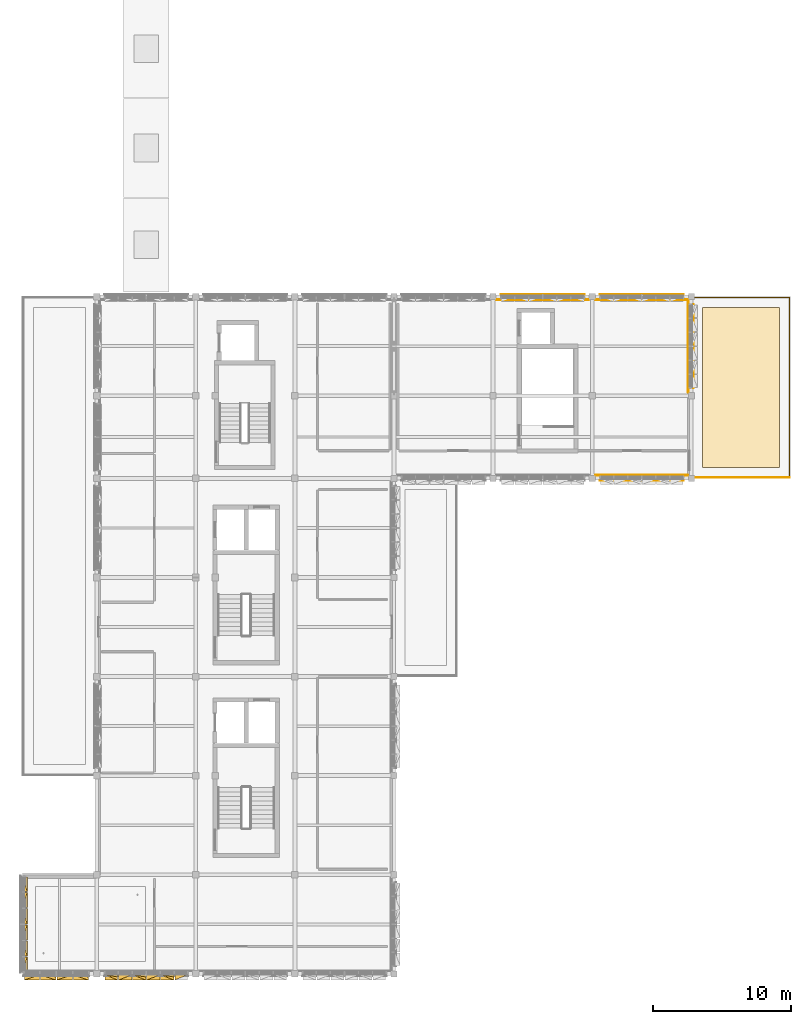
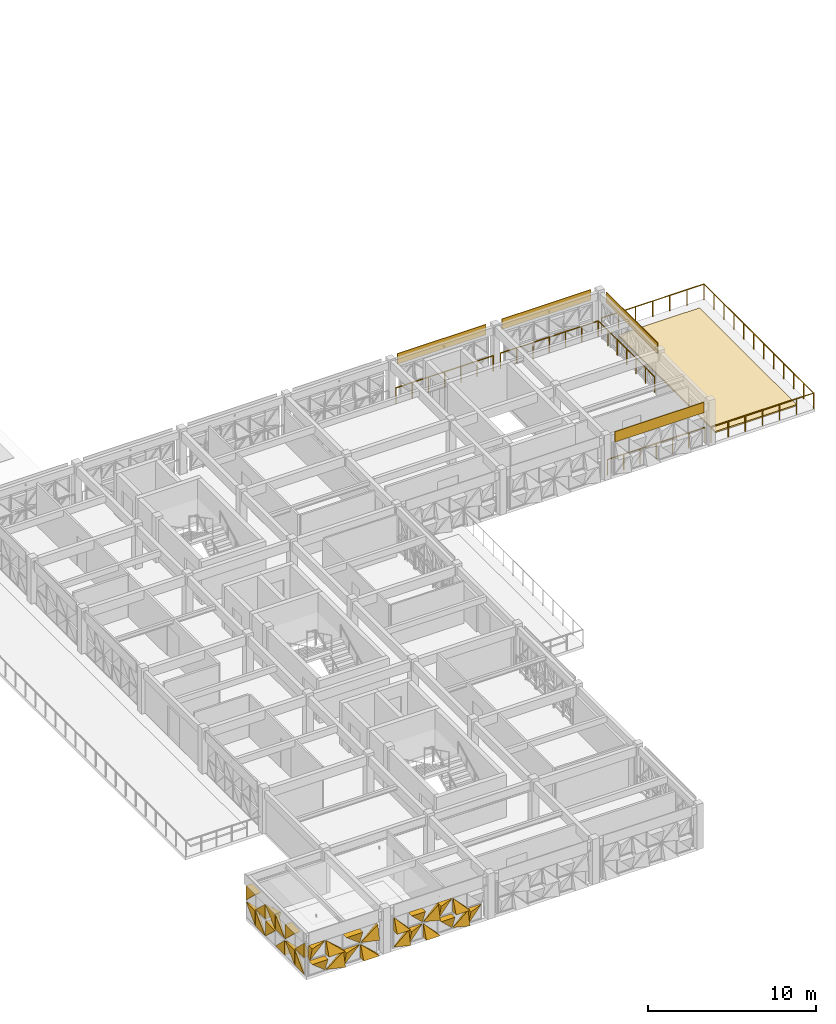
# One storey, part 30 of 35: 36 coverings, 6 railings.
"""IFC4 building model written with IfcOpenShell, lengths in metres."""

import ifcopenshell
import ifcopenshell.guid

model = None  # the IFC model being written
_history = None  # IfcOwnerHistory: only IFC2X3 demands one
_inside = {}  # id of a spatial element -> (the spatial element, [elements in it])
_under = {}  # id of a project, library or spatial element -> (it, [spatial elements below it])
_declared = {}  # id of a project -> (the project, [libraries it declares])
_typed = {}  # id of a type object -> (the type object, [elements of that type])
_made_of = {}  # id of a material, layer set ... -> (it, [elements and type objects made of it])


def new_model(schema):
    """Start an empty IFC model of exactly this schema.

    Asked for "IFC4X3", IfcOpenShell would pick the latest addendum, in which some entities
    have other attributes; the version numbers below select the first issue.
    IFC2X3 requires an IfcOwnerHistory on every rooted entity: one is made here for all.
    """
    global model, _history
    if schema == "IFC4X3":
        model = ifcopenshell.file(schema_version=(4, 3, 0, 0))
    else:
        model = ifcopenshell.file(schema=schema)
    _inside.clear()
    _under.clear()
    _declared.clear()
    _typed.clear()
    _made_of.clear()
    _history = None
    if model.schema == "IFC2X3":
        org = make("IfcOrganization", Name="unknown")
        user = make(
            "IfcPersonAndOrganization",
            ThePerson=make("IfcPerson", FamilyName="unknown"),
            TheOrganization=org,
        )
        app = make(
            "IfcApplication",
            ApplicationDeveloper=org,
            Version="unknown",
            ApplicationFullName="unknown",
            ApplicationIdentifier="unknown",
        )
        _history = make(
            "IfcOwnerHistory",
            OwningUser=user,
            OwningApplication=app,
            ChangeAction="ADDED",
            CreationDate=0,
        )
    return model


def make(cls, **values):
    """One entity of the class cls with the attributes given. An attribute that is None is left unset."""
    return model.create_entity(
        cls, **{name: value for name, value in values.items() if value is not None}
    )


def rooted(cls, **values):
    """An entity with a GlobalId (a new one), such as an element, a storey or a relation."""
    return make(cls, GlobalId=ifcopenshell.guid.new(), OwnerHistory=_history, **values)


def si_unit(unit_type, name, prefix=None):
    """IfcSIUnit, for example si_unit("LENGTHUNIT", "METRE", prefix="MILLI")."""
    return make("IfcSIUnit", UnitType=unit_type, Prefix=prefix, Name=name)


def assignment(units):
    """IfcUnitAssignment: the units of a project."""
    return None if units is None else make("IfcUnitAssignment", Units=units)


def point(xyz):
    """IfcCartesianPoint."""
    return None if xyz is None else make("IfcCartesianPoint", Coordinates=xyz)


def direction(xyz):
    """IfcDirection."""
    return None if xyz is None else make("IfcDirection", DirectionRatios=xyz)


def frame(location, z_axis=None, x_axis=None):
    """IfcAxis2Placement3D, a coordinate frame: its origin and axes. An axis left out is left unset."""
    return make(
        "IfcAxis2Placement3D",
        Location=point(location),
        Axis=direction(z_axis),
        RefDirection=direction(x_axis),
    )


def frame_2d(location, x_axis=None):
    """IfcAxis2Placement2D, a coordinate frame in the plane: its origin and x axis."""
    return make(
        "IfcAxis2Placement2D", Location=point(location), RefDirection=direction(x_axis)
    )


def origin():
    """The frame at (0, 0, 0) with its axes left unset."""
    return frame((0.0, 0.0, 0.0))


def origin_2d():
    """The frame at (0, 0) in the plane with its x axis left unset."""
    return frame_2d((0.0, 0.0))


def place(relative_to, where):
    """IfcLocalPlacement: puts the frame where relative to a parent placement (None: the world)."""
    return make(
        "IfcLocalPlacement", PlacementRelTo=relative_to, RelativePlacement=where
    )


def context(
    kind, dimensions, precision=None, world=None, true_north=None, identifier=None
):
    """IfcGeometricRepresentationContext, for example the 3D "Model" context."""
    return make(
        "IfcGeometricRepresentationContext",
        ContextIdentifier=identifier,
        ContextType=kind,
        CoordinateSpaceDimension=dimensions,
        Precision=precision,
        WorldCoordinateSystem=world,
        TrueNorth=true_north,
    )


def subcontext(parent, identifier, kind, view, scale=None):
    """IfcGeometricRepresentationSubContext, for example "Body" below "Model"."""
    return make(
        "IfcGeometricRepresentationSubContext",
        ContextIdentifier=identifier,
        ContextType=kind,
        ParentContext=parent,
        TargetScale=scale,
        TargetView=view,
    )


def project(units=None, contexts=None):
    """IfcProject with its units and contexts."""
    return rooted(
        "IfcProject",
        Name="project",
        RepresentationContexts=contexts,
        UnitsInContext=assignment(units),
    )


def spatial(cls, under=None, at=None, **own):
    """A site, building, storey or space (cls), placed at a placement, below another one or the project."""
    s = rooted(cls, ObjectPlacement=at, **own)
    if under is not None:
        _under.setdefault(under.id(), (under, []))[1].append(s)
    return s


def polyline(points):
    """IfcPolyline through the points."""
    return make("IfcPolyline", Points=[point(p) for p in points])


def point_list(points):
    """IfcCartesianPointList2D or 3D."""
    cls = (
        "IfcCartesianPointList2D" if len(points[0]) == 2 else "IfcCartesianPointList3D"
    )
    return make(cls, CoordList=points)


def profile(cls, at=None, kind="AREA", **sizes):
    """A parametric profile (cls). Its sizes go by their IFC names, for example OverallWidth=200.0."""
    return make(cls, ProfileType=kind, Position=at, **sizes)


def circle(**sizes):
    """IfcCircleProfileDef."""
    return profile("IfcCircleProfileDef", **sizes)


def outline(outer, holes=None, kind="AREA"):
    """IfcArbitraryClosedProfileDef: a profile drawn as a closed curve; with holes, ...WithVoids."""
    if holes is None:
        return make("IfcArbitraryClosedProfileDef", ProfileType=kind, OuterCurve=outer)
    return make(
        "IfcArbitraryProfileDefWithVoids",
        ProfileType=kind,
        OuterCurve=outer,
        InnerCurves=holes,
    )


def extrude(swept, where, along, depth):
    """IfcExtrudedAreaSolid: the profile swept, set in the frame where, extruded along a direction by depth."""
    return make(
        "IfcExtrudedAreaSolid",
        SweptArea=swept,
        Position=where,
        ExtrudedDirection=direction(along),
        Depth=depth,
    )


def polygons(points, faces, closed=None, point_numbers=None):
    """IfcPolygonalFaceSet: a face is its outer loop, then its inner loops; points numbered from 1."""
    made = []
    for loops in faces:
        if len(loops) == 1:
            made.append(make("IfcIndexedPolygonalFace", CoordIndex=loops[0]))
        else:
            made.append(
                make(
                    "IfcIndexedPolygonalFaceWithVoids",
                    CoordIndex=loops[0],
                    InnerCoordIndices=loops[1:],
                )
            )
    return make(
        "IfcPolygonalFaceSet",
        Coordinates=point_list(points),
        Closed=closed,
        Faces=made,
        PnIndex=point_numbers,
    )


def shape(context_of_items, identifier, shape_type, items):
    """IfcShapeRepresentation: the items that make up one representation, for example the "Body"."""
    return make(
        "IfcShapeRepresentation",
        ContextOfItems=context_of_items,
        RepresentationIdentifier=identifier,
        RepresentationType=shape_type,
        Items=items,
    )


def material(Name=None, Category=None):
    """IfcMaterial."""
    return make("IfcMaterial", Name=Name, Category=Category)


def layer(
    of_material, thickness, ventilated=None, Name=None, Category=None, Priority=None
):
    """IfcMaterialLayer: one layer of a wall or slab, of a material (None: an air gap)."""
    return make(
        "IfcMaterialLayer",
        Material=of_material,
        LayerThickness=thickness,
        IsVentilated=ventilated,
        Name=Name,
        Category=Category,
        Priority=Priority,
    )


def layer_set(layers, Name=None):
    """IfcMaterialLayerSet."""
    return make("IfcMaterialLayerSet", MaterialLayers=layers, LayerSetName=Name)


def made_of(thing, what):
    """Note that an element or type object is made of a material, layer set ...; save() writes the relation."""
    if what is not None:
        _made_of.setdefault(what.id(), (what, []))[1].append(thing)
    return thing


def type_object(cls, material=None, **own):
    """A type object (cls), such as IfcWallType, which elements share."""
    return made_of(rooted(cls, **own), material)


def element(
    cls,
    number,
    at=None,
    inside=None,
    cuts=None,
    type_object=None,
    material=None,
    context=None,
    identifier="Body",
    shape_type=None,
    held_by="IfcProductDefinitionShape",
    body=None,
    shapes=None,
    **own,
):
    """One element of the class cls, such as IfcWall. Its Tag is "e" and its number.

    at: its placement. inside: the storey or other place that contains it. cuts: it is an
    opening in that element (IfcRelVoidsElement). A single representation is given by context,
    identifier, shape_type and body (its items); several are given by shapes. held_by: the class
    of the entity that holds the representations. save() writes the other relations.
    """
    e = rooted(cls, Tag="e%d" % number, ObjectPlacement=at, **own)
    if body is not None:
        shapes = [shape(context, identifier, shape_type, body)]
    if shapes is not None:
        e.Representation = make(held_by, Representations=shapes)
    if inside is not None:
        _inside.setdefault(inside.id(), (inside, []))[1].append(e)
    if cuts is not None:
        rooted(
            "IfcRelVoidsElement", RelatingBuildingElement=cuts, RelatedOpeningElement=e
        )
    if type_object is not None:
        _typed.setdefault(type_object.id(), (type_object, []))[1].append(e)
    return made_of(e, material)


def aggregate(whole, parts):
    """IfcRelAggregates: a whole, such as a stair, and the parts it consists of."""
    return rooted("IfcRelAggregates", RelatingObject=whole, RelatedObjects=parts)


def save(model, path):
    """Write the relations noted so far, then the file.

    IfcRelAggregates (storeys below a building ...), IfcRelContainedInSpatialStructure (elements
    in a storey), IfcRelDefinesByType, IfcRelAssociatesMaterial and IfcRelDeclares: one each for
    every whole, place, type object, material and project.
    """
    for whole, parts in _under.values():
        aggregate(whole, parts)
    for where, things in _inside.values():
        rooted(
            "IfcRelContainedInSpatialStructure",
            RelatedElements=things,
            RelatingStructure=where,
        )
    for kind, things in _typed.values():
        rooted("IfcRelDefinesByType", RelatedObjects=things, RelatingType=kind)
    for what, things in _made_of.values():
        rooted("IfcRelAssociatesMaterial", RelatedObjects=things, RelatingMaterial=what)
    for by, libraries in _declared.values():
        rooted("IfcRelDeclares", RelatingContext=by, RelatedDefinitions=libraries)
    model.write(path)


model = new_model("IFC4")

# Units and contexts
model_context = context("Model", 3, precision=1e-05, world=origin(), true_north=direction((0.0, 1.0)))
body_context = subcontext(model_context, "Body", "Model", "MODEL_VIEW")
ifc_project = project(units=[si_unit("LENGTHUNIT", "METRE"), si_unit("AREAUNIT", "SQUARE_METRE"), si_unit("VOLUMEUNIT", "CUBIC_METRE"), si_unit("PLANEANGLEUNIT", "RADIAN"), si_unit("MASSUNIT", "GRAM", prefix="KILO")], contexts=[model_context])

# Site, building, storey
site_placement = place(None, origin())
site = spatial("IfcSite", under=ifc_project, at=site_placement, CompositionType="ELEMENT")
building_placement = place(site_placement, origin())
building = spatial("IfcBuilding", under=site, at=building_placement, Name="Alvorim Cloister Faculty of Sciences", CompositionType="ELEMENT")
storey_placement = place(building_placement, frame((0.0, 0.0, 22.949951171875)))
storey = spatial("IfcBuildingStorey", under=building, at=storey_placement, Name="L06", CompositionType="ELEMENT", Elevation=22.949951171875)

# Coverings
ifc_material_1 = material(Name="Anodised Aluminium Alloy 6063-T6", Category="aluminium")
ifc_layer_1 = layer(ifc_material_1, 0.031982421875)
ifc_layer_set_1 = layer_set([ifc_layer_1], Name="Anodised Aluminium Alloy 6063-T6")
covering_type_1 = type_object("IfcCoveringType", Name="COV-FAC-CAS", PredefinedType="CLADDING", material=ifc_layer_set_1)
for number, where, z_axis, x_axis, name in (
    (1, (36.5400390625, 56.550048828125, 2.530029296875), (0.0, 0.0, 1.0), (1.0, 0.0, 0.0), "L06 Shifted Bar Slab-Edge Architectural Fascia"),
    (2, (43.739990234375, 56.550048828125, 2.530029296875), (0.0, 0.0, 1.0), (1.0, 0.0, 0.0), "L06 Shifted Bar Slab-Edge Architectural Fascia"),
    (3, (50.550048828125, 49.739990234375, 2.530029296875), (0.0, 0.0, 1.0), (0.0, 1.0, 0.0), "L06 Shifted Bar Slab-Edge Architectural Fascia"),
    (4, (43.739990234375, 43.050048828125, 2.530029296875), (0.0, 0.0, 1.0), (1.0, 0.0, 0.0), "L06 Shifted Bar Slab-Edge Architectural Fascia"),
):
    element("IfcCovering", number, at=place(storey_placement, frame(where, z_axis=z_axis, x_axis=x_axis)), inside=storey, type_object=covering_type_1, Name=name, PredefinedType="CLADDING", context=body_context, shape_type="SweptSolid", body=[
        extrude(outline(polyline([(0.0, 0.0), (6.1201171875, 0.0), (6.1201171875, 0.760009765625), (0.0, 0.760009765625), (0.0, 0.0)])), frame((0.0, 0.0224609375, 0.0), z_axis=(0.0, -1.0, 0.0), x_axis=(1.0, 0.0, 0.0)), (0.0, 0.0, 1.0), 0.044921875),
    ])
ifc_material_2 = material(Name="Intensive Vegetated Substrate", Category="earth")
ifc_layer_2 = layer(ifc_material_2, 0.10009765625)
ifc_layer_set_2 = layer_set([ifc_layer_2], Name="Intensive Vegetated Substrate")
covering_type_2 = type_object("IfcCoveringType", Name="COV-ROOF-GREEN", PredefinedType="ROOFING", material=ifc_layer_set_2)
covering_1_placement = place(storey_placement, origin())
element("IfcCovering", 5, at=covering_1_placement, inside=storey, type_object=covering_type_2, Name="L06 North Laboratory Stepped Terrace Quota Ambiental Vegetated Substrate", PredefinedType="ROOFING", context=body_context, shape_type="SweptSolid", body=[
    extrude(outline(polyline([(51.199951171875, 44.0), (56.800048828125, 44.0), (56.800048828125, 55.60009765625), (51.199951171875, 55.60009765625), (51.199951171875, 44.0)])), origin(), (0.0, 0.0, 1.0), 0.10009765625),
])
ifc_material_3 = material(Name="Perforated Bronze Alloy Sheet", Category="metal")
ifc_layer_3 = layer(ifc_material_3, 0.0380859375)
ifc_layer_set_3 = layer_set([ifc_layer_3], Name="Perforated Bronze Alloy Sheet")
covering_type_3 = type_object("IfcCoveringType", Name="COV-TRI-BRZ", PredefinedType="CLADDING", material=ifc_layer_set_3)
covering_2_placement = place(storey_placement, frame((1.7548828125, 7.344970703125, 0.14013671875), z_axis=(0.0, 0.0, 1.0), x_axis=(0.0, 1.0, 0.0)))
element("IfcCovering", 6, at=covering_2_placement, inside=storey, type_object=covering_type_3, Name="Diagonal Solid Metal Triangle TRI-BR", PredefinedType="CLADDING", context=body_context, shape_type="Tessellation", body=[
    polygons([(0.002, 0.0260009765625, 0.0), (1.075927734375, 0.0260009765625, 0.0), (1.075927734375, 0.0260009765625, 1.066359375), (0.002, -0.03, 0.0), (1.075927734375, -0.4, 0.0), (1.075927734375, -0.18000000000000002, 1.066359375)], [[[1, 3, 2]], [[4, 5, 6]], [[1, 2, 5, 4]], [[2, 3, 6, 5]], [[3, 1, 4, 6]]], closed=True),
])
covering_3_placement = place(storey_placement, frame((1.7548828125, 7.344970703125, 1.3486328125), z_axis=(0.0, 0.0, 1.0), x_axis=(0.0, 1.0, 0.0)))
element("IfcCovering", 7, at=covering_3_placement, inside=storey, type_object=covering_type_3, Name="Diagonal Solid Metal Triangle TRI-BL", PredefinedType="CLADDING", context=body_context, shape_type="Tessellation", body=[
    polygons([(0.0, 0.0260009765625, 0.0), (1.073927734375, 0.0260009765625, 0.0), (0.0, 0.0260009765625, 1.066359375), (0.0, -0.4, 0.0), (1.073927734375, -0.4, 0.0), (0.0, -0.03, 1.066359375)], [[[1, 3, 2]], [[4, 5, 6]], [[1, 2, 5, 4]], [[2, 3, 6, 5]], [[3, 1, 4, 6]]], closed=True),
])
covering_4_placement = place(storey_placement, frame((1.7548828125, 8.48583984375, 0.14013671875), z_axis=(0.0, 0.0, 1.0), x_axis=(0.0, 1.0, 0.0)))
element("IfcCovering", 8, at=covering_4_placement, inside=storey, type_object=covering_type_3, Name="Diagonal Solid Metal Triangle TRI-TL", PredefinedType="CLADDING", context=body_context, shape_type="Tessellation", body=[
    polygons([(1.1063984375, 0.0260009765625, 1.068359375), (0.0, 0.0260009765625, 1.068359375), (0.0, 0.0260009765625, 0.002), (1.1063984375, -0.03, 1.068359375), (0.0, -0.4, 1.068359375), (0.0, -0.13999999999999999, 0.002)], [[[1, 3, 2]], [[4, 5, 6]], [[1, 2, 5, 4]], [[2, 3, 6, 5]], [[3, 1, 4, 6]]], closed=True),
])
covering_5_placement = place(storey_placement, frame((1.7548828125, 8.48583984375, 1.3486328125), z_axis=(0.0, 0.0, 1.0), x_axis=(0.0, 1.0, 0.0)))
element("IfcCovering", 9, at=covering_5_placement, inside=storey, type_object=covering_type_3, Name="Diagonal Solid Metal Triangle TRI-TR", PredefinedType="CLADDING", context=body_context, shape_type="Tessellation", body=[
    polygons([(1.1083984375, 0.0260009765625, 0.002), (1.1083984375, 0.0260009765625, 1.068359375), (0.002, 0.0260009765625, 1.068359375), (1.1083984375, -0.03, 0.002), (1.1083984375, -0.4, 1.068359375), (0.002, -0.4, 1.068359375)], [[[1, 3, 2]], [[4, 5, 6]], [[1, 2, 5, 4]], [[2, 3, 6, 5]], [[3, 1, 4, 6]]], closed=True),
])
covering_6_placement = place(storey_placement, frame((1.7548828125, 9.6591796875, 0.14013671875), z_axis=(0.0, 0.0, 1.0), x_axis=(0.0, 1.0, 0.0)))
element("IfcCovering", 10, at=covering_6_placement, inside=storey, type_object=covering_type_3, Name="Diagonal Solid Metal Triangle TRI-BL", PredefinedType="CLADDING", context=body_context, shape_type="Tessellation", body=[
    polygons([(0.0, 0.0260009765625, 0.0), (1.1063984375, 0.0260009765625, 0.0), (0.0, 0.0260009765625, 1.066359375), (0.0, -0.4, 0.0), (1.1063984375, -0.4, 0.0), (0.0, -0.03, 1.066359375)], [[[1, 3, 2]], [[4, 5, 6]], [[1, 2, 5, 4]], [[2, 3, 6, 5]], [[3, 1, 4, 6]]], closed=True),
])
covering_7_placement = place(storey_placement, frame((1.7548828125, 9.6591796875, 1.3486328125), z_axis=(0.0, 0.0, 1.0), x_axis=(0.0, 1.0, 0.0)))
element("IfcCovering", 11, at=covering_7_placement, inside=storey, type_object=covering_type_3, Name="Diagonal Solid Metal Triangle TRI-BR", PredefinedType="CLADDING", context=body_context, shape_type="Tessellation", body=[
    polygons([(0.002, 0.0260009765625, 0.0), (1.1083984375, 0.0260009765625, 0.0), (1.1083984375, 0.0260009765625, 1.066359375), (0.002, -0.03, 0.0), (1.1083984375, -0.4, 0.0), (1.1083984375, -0.18000000000000002, 1.066359375)], [[[1, 3, 2]], [[4, 5, 6]], [[1, 2, 5, 4]], [[2, 3, 6, 5]], [[3, 1, 4, 6]]], closed=True),
])
covering_8_placement = place(storey_placement, frame((1.7548828125, 10.83251953125, 0.14013671875), z_axis=(0.0, 0.0, 1.0), x_axis=(0.0, 1.0, 0.0)))
element("IfcCovering", 12, at=covering_8_placement, inside=storey, type_object=covering_type_3, Name="Diagonal Solid Metal Triangle TRI-TR", PredefinedType="CLADDING", context=body_context, shape_type="Tessellation", body=[
    polygons([(1.1083984375, 0.0260009765625, 0.002), (1.1083984375, 0.0260009765625, 1.068359375), (0.002, 0.0260009765625, 1.068359375), (1.1083984375, -0.03, 0.002), (1.1083984375, -0.4, 1.068359375), (0.002, -0.4, 1.068359375)], [[[1, 3, 2]], [[4, 5, 6]], [[1, 2, 5, 4]], [[2, 3, 6, 5]], [[3, 1, 4, 6]]], closed=True),
])
covering_9_placement = place(storey_placement, frame((1.7548828125, 10.83251953125, 1.3486328125), z_axis=(0.0, 0.0, 1.0), x_axis=(0.0, 1.0, 0.0)))
element("IfcCovering", 13, at=covering_9_placement, inside=storey, type_object=covering_type_3, Name="Diagonal Solid Metal Triangle TRI-TL", PredefinedType="CLADDING", context=body_context, shape_type="Tessellation", body=[
    polygons([(1.1063984375, 0.0260009765625, 1.068359375), (0.0, 0.0260009765625, 1.068359375), (0.0, 0.0260009765625, 0.002), (1.1063984375, -0.03, 1.068359375), (0.0, -0.4, 1.068359375), (0.0, -0.13999999999999999, 0.002)], [[[1, 3, 2]], [[4, 5, 6]], [[1, 2, 5, 4]], [[2, 3, 6, 5]], [[3, 1, 4, 6]]], closed=True),
])
covering_10_placement = place(storey_placement, frame((1.7548828125, 12.005859375, 0.14013671875), z_axis=(0.0, 0.0, 1.0), x_axis=(0.0, 1.0, 0.0)))
element("IfcCovering", 14, at=covering_10_placement, inside=storey, type_object=covering_type_3, Name="Diagonal Solid Metal Triangle TRI-BR", PredefinedType="CLADDING", context=body_context, shape_type="Tessellation", body=[
    polygons([(0.002, 0.0260009765625, 0.0), (1.1083984375, 0.0260009765625, 0.0), (1.1083984375, 0.0260009765625, 1.066359375), (0.002, -0.03, 0.0), (1.1083984375, -0.4, 0.0), (1.1083984375, -0.18000000000000002, 1.066359375)], [[[1, 3, 2]], [[4, 5, 6]], [[1, 2, 5, 4]], [[2, 3, 6, 5]], [[3, 1, 4, 6]]], closed=True),
])
covering_11_placement = place(storey_placement, frame((1.7548828125, 12.005859375, 1.3486328125), z_axis=(0.0, 0.0, 1.0), x_axis=(0.0, 1.0, 0.0)))
element("IfcCovering", 15, at=covering_11_placement, inside=storey, type_object=covering_type_3, Name="Diagonal Solid Metal Triangle TRI-BL", PredefinedType="CLADDING", context=body_context, shape_type="Tessellation", body=[
    polygons([(0.0, 0.0260009765625, 0.0), (1.1063984375, 0.0260009765625, 0.0), (0.0, 0.0260009765625, 1.066359375), (0.0, -0.4, 0.0), (1.1063984375, -0.4, 0.0), (0.0, -0.03, 1.066359375)], [[[1, 3, 2]], [[4, 5, 6]], [[1, 2, 5, 4]], [[2, 3, 6, 5]], [[3, 1, 4, 6]]], closed=True),
])
covering_12_placement = place(storey_placement, frame((1.7548828125, 13.17919921875, 0.14013671875), z_axis=(0.0, 0.0, 1.0), x_axis=(0.0, 1.0, 0.0)))
element("IfcCovering", 16, at=covering_12_placement, inside=storey, type_object=covering_type_3, Name="Diagonal Solid Metal Triangle TRI-TL", PredefinedType="CLADDING", context=body_context, shape_type="Tessellation", body=[
    polygons([(1.073927734375, 0.0260009765625, 1.068359375), (0.0, 0.0260009765625, 1.068359375), (0.0, 0.0260009765625, 0.002), (1.073927734375, -0.03, 1.068359375), (0.0, -0.4, 1.068359375), (0.0, -0.13999999999999999, 0.002)], [[[1, 3, 2]], [[4, 5, 6]], [[1, 2, 5, 4]], [[2, 3, 6, 5]], [[3, 1, 4, 6]]], closed=True),
])
covering_13_placement = place(storey_placement, frame((1.7548828125, 13.17919921875, 1.3486328125), z_axis=(0.0, 0.0, 1.0), x_axis=(0.0, 1.0, 0.0)))
element("IfcCovering", 17, at=covering_13_placement, inside=storey, type_object=covering_type_3, Name="Diagonal Solid Metal Triangle TRI-TR", PredefinedType="CLADDING", context=body_context, shape_type="Tessellation", body=[
    polygons([(1.075927734375, 0.0260009765625, 0.002), (1.075927734375, 0.0260009765625, 1.068359375), (0.002, 0.0260009765625, 1.068359375), (1.075927734375, -0.03, 0.002), (1.075927734375, -0.4, 1.068359375), (0.002, -0.4, 1.068359375)], [[[1, 3, 2]], [[4, 5, 6]], [[1, 2, 5, 4]], [[2, 3, 6, 5]], [[3, 1, 4, 6]]], closed=True),
])
covering_14_placement = place(storey_placement, frame((7.804931640625, 7.155029296875, 0.14013671875), z_axis=(0.0, 0.0, 1.0), x_axis=(1.0, 0.0, 0.0)))
element("IfcCovering", 18, at=covering_14_placement, inside=storey, type_object=covering_type_3, Name="Diagonal Solid Metal Triangle TRI-BR", PredefinedType="CLADDING", context=body_context, shape_type="Tessellation", body=[
    polygons([(0.002, 0.0260009765625, 0.0), (0.922607421875, 0.0260009765625, 0.0), (0.922607421875, 0.0260009765625, 0.990919921875), (0.002, -0.03, 0.0), (0.922607421875, -0.4, 0.0), (0.922607421875, -0.18000000000000002, 0.990919921875)], [[[1, 3, 2]], [[4, 5, 6]], [[1, 2, 5, 4]], [[2, 3, 6, 5]], [[3, 1, 4, 6]]], closed=True),
])
covering_15_placement = place(storey_placement, frame((7.804931640625, 7.155029296875, 1.27294921875), z_axis=(0.0, 0.0, 1.0), x_axis=(1.0, 0.0, 0.0)))
element("IfcCovering", 19, at=covering_15_placement, inside=storey, type_object=covering_type_3, Name="Diagonal Solid Metal Triangle TRI-BL", PredefinedType="CLADDING", context=body_context, shape_type="Tessellation", body=[
    polygons([(0.0, 0.0260009765625, 0.0), (0.920607421875, 0.0260009765625, 0.0), (0.0, 0.0260009765625, 0.9911640625), (0.0, -0.4, 0.0), (0.920607421875, -0.4, 0.0), (0.0, -0.03, 0.9911640625)], [[[1, 3, 2]], [[4, 5, 6]], [[1, 2, 5, 4]], [[2, 3, 6, 5]], [[3, 1, 4, 6]]], closed=True),
])
covering_16_placement = place(storey_placement, frame((8.79248046875, 7.155029296875, 0.14013671875), z_axis=(0.0, 0.0, 1.0), x_axis=(1.0, 0.0, 0.0)))
element("IfcCovering", 20, at=covering_16_placement, inside=storey, type_object=covering_type_3, Name="Diagonal Solid Metal Triangle TRI-TL", PredefinedType="CLADDING", context=body_context, shape_type="Tessellation", body=[
    polygons([(0.953078125, 0.0260009765625, 0.992919921875), (0.0, 0.0260009765625, 0.992919921875), (0.0, 0.0260009765625, 0.002), (0.953078125, -0.03, 0.992919921875), (0.0, -0.4, 0.992919921875), (0.0, -0.13999999999999999, 0.002)], [[[1, 3, 2]], [[4, 5, 6]], [[1, 2, 5, 4]], [[2, 3, 6, 5]], [[3, 1, 4, 6]]], closed=True),
])
covering_17_placement = place(storey_placement, frame((8.79248046875, 7.155029296875, 1.27294921875), z_axis=(0.0, 0.0, 1.0), x_axis=(1.0, 0.0, 0.0)))
element("IfcCovering", 21, at=covering_17_placement, inside=storey, type_object=covering_type_3, Name="Diagonal Solid Metal Triangle TRI-TR", PredefinedType="CLADDING", context=body_context, shape_type="Tessellation", body=[
    polygons([(0.955078125, 0.0260009765625, 0.002), (0.955078125, 0.0260009765625, 0.9931640625), (0.002, 0.0260009765625, 0.9931640625), (0.955078125, -0.03, 0.002), (0.955078125, -0.4, 0.9931640625), (0.002, -0.4, 0.9931640625)], [[[1, 3, 2]], [[4, 5, 6]], [[1, 2, 5, 4]], [[2, 3, 6, 5]], [[3, 1, 4, 6]]], closed=True),
])
covering_18_placement = place(storey_placement, frame((9.8125, 7.155029296875, 0.14013671875), z_axis=(0.0, 0.0, 1.0), x_axis=(1.0, 0.0, 0.0)))
element("IfcCovering", 22, at=covering_18_placement, inside=storey, type_object=covering_type_3, Name="Diagonal Solid Metal Triangle TRI-BL", PredefinedType="CLADDING", context=body_context, shape_type="Tessellation", body=[
    polygons([(0.0, 0.0260009765625, 0.0), (0.953078125, 0.0260009765625, 0.0), (0.0, 0.0260009765625, 0.990919921875), (0.0, -0.4, 0.0), (0.953078125, -0.4, 0.0), (0.0, -0.03, 0.990919921875)], [[[1, 3, 2]], [[4, 5, 6]], [[1, 2, 5, 4]], [[2, 3, 6, 5]], [[3, 1, 4, 6]]], closed=True),
])
covering_19_placement = place(storey_placement, frame((9.8125, 7.155029296875, 1.27294921875), z_axis=(0.0, 0.0, 1.0), x_axis=(1.0, 0.0, 0.0)))
element("IfcCovering", 23, at=covering_19_placement, inside=storey, type_object=covering_type_3, Name="Diagonal Solid Metal Triangle TRI-BR", PredefinedType="CLADDING", context=body_context, shape_type="Tessellation", body=[
    polygons([(0.002, 0.0260009765625, 0.0), (0.955078125, 0.0260009765625, 0.0), (0.955078125, 0.0260009765625, 0.9911640625), (0.002, -0.03, 0.0), (0.955078125, -0.4, 0.0), (0.955078125, -0.18000000000000002, 0.9911640625)], [[[1, 3, 2]], [[4, 5, 6]], [[1, 2, 5, 4]], [[2, 3, 6, 5]], [[3, 1, 4, 6]]], closed=True),
])
covering_20_placement = place(storey_placement, frame((10.83251953125, 7.155029296875, 0.14013671875), z_axis=(0.0, 0.0, 1.0), x_axis=(1.0, 0.0, 0.0)))
element("IfcCovering", 24, at=covering_20_placement, inside=storey, type_object=covering_type_3, Name="Diagonal Solid Metal Triangle TRI-TR", PredefinedType="CLADDING", context=body_context, shape_type="Tessellation", body=[
    polygons([(0.955078125, 0.0260009765625, 0.002), (0.955078125, 0.0260009765625, 0.992919921875), (0.002, 0.0260009765625, 0.992919921875), (0.955078125, -0.03, 0.002), (0.955078125, -0.4, 0.992919921875), (0.002, -0.4, 0.992919921875)], [[[1, 3, 2]], [[4, 5, 6]], [[1, 2, 5, 4]], [[2, 3, 6, 5]], [[3, 1, 4, 6]]], closed=True),
])
covering_21_placement = place(storey_placement, frame((10.83251953125, 7.155029296875, 1.27294921875), z_axis=(0.0, 0.0, 1.0), x_axis=(1.0, 0.0, 0.0)))
element("IfcCovering", 25, at=covering_21_placement, inside=storey, type_object=covering_type_3, Name="Diagonal Solid Metal Triangle TRI-TL", PredefinedType="CLADDING", context=body_context, shape_type="Tessellation", body=[
    polygons([(0.953078125, 0.0260009765625, 0.9931640625), (0.0, 0.0260009765625, 0.9931640625), (0.0, 0.0260009765625, 0.002), (0.953078125, -0.03, 0.9931640625), (0.0, -0.4, 0.9931640625), (0.0, -0.13999999999999999, 0.002)], [[[1, 3, 2]], [[4, 5, 6]], [[1, 2, 5, 4]], [[2, 3, 6, 5]], [[3, 1, 4, 6]]], closed=True),
])
covering_22_placement = place(storey_placement, frame((11.8525390625, 7.155029296875, 0.14013671875), z_axis=(0.0, 0.0, 1.0), x_axis=(1.0, 0.0, 0.0)))
element("IfcCovering", 26, at=covering_22_placement, inside=storey, type_object=covering_type_3, Name="Diagonal Solid Metal Triangle TRI-BR", PredefinedType="CLADDING", context=body_context, shape_type="Tessellation", body=[
    polygons([(0.002, 0.0260009765625, 0.0), (0.955078125, 0.0260009765625, 0.0), (0.955078125, 0.0260009765625, 0.990919921875), (0.002, -0.03, 0.0), (0.955078125, -0.4, 0.0), (0.955078125, -0.18000000000000002, 0.990919921875)], [[[1, 3, 2]], [[4, 5, 6]], [[1, 2, 5, 4]], [[2, 3, 6, 5]], [[3, 1, 4, 6]]], closed=True),
])
covering_23_placement = place(storey_placement, frame((11.8525390625, 7.155029296875, 1.27294921875), z_axis=(0.0, 0.0, 1.0), x_axis=(1.0, 0.0, 0.0)))
element("IfcCovering", 27, at=covering_23_placement, inside=storey, type_object=covering_type_3, Name="Diagonal Solid Metal Triangle TRI-BL", PredefinedType="CLADDING", context=body_context, shape_type="Tessellation", body=[
    polygons([(0.0, 0.0260009765625, 0.0), (0.953078125, 0.0260009765625, 0.0), (0.0, 0.0260009765625, 0.9911640625), (0.0, -0.4, 0.0), (0.953078125, -0.4, 0.0), (0.0, -0.03, 0.9911640625)], [[[1, 3, 2]], [[4, 5, 6]], [[1, 2, 5, 4]], [[2, 3, 6, 5]], [[3, 1, 4, 6]]], closed=True),
])
covering_24_placement = place(storey_placement, frame((12.87255859375, 7.155029296875, 0.14013671875), z_axis=(0.0, 0.0, 1.0), x_axis=(1.0, 0.0, 0.0)))
element("IfcCovering", 28, at=covering_24_placement, inside=storey, type_object=covering_type_3, Name="Diagonal Solid Metal Triangle TRI-TL", PredefinedType="CLADDING", context=body_context, shape_type="Tessellation", body=[
    polygons([(0.920607421875, 0.0260009765625, 0.992919921875), (0.0, 0.0260009765625, 0.992919921875), (0.0, 0.0260009765625, 0.002), (0.920607421875, -0.03, 0.992919921875), (0.0, -0.4, 0.992919921875), (0.0, -0.13999999999999999, 0.002)], [[[1, 3, 2]], [[4, 5, 6]], [[1, 2, 5, 4]], [[2, 3, 6, 5]], [[3, 1, 4, 6]]], closed=True),
])
covering_25_placement = place(storey_placement, frame((1.945068359375, 7.155029296875, 0.14013671875), z_axis=(0.0, 0.0, 1.0), x_axis=(1.0, 0.0, 0.0)))
element("IfcCovering", 29, at=covering_25_placement, inside=storey, type_object=covering_type_3, Name="Diagonal Solid Metal Triangle TRI-TR", PredefinedType="CLADDING", context=body_context, shape_type="Tessellation", body=[
    polygons([(1.097412109375, 0.0260009765625, 0.002), (1.097412109375, 0.0260009765625, 0.992919921875), (0.002, 0.0260009765625, 0.992919921875), (1.097412109375, -0.03, 0.002), (1.097412109375, -0.4, 0.992919921875), (0.002, -0.4, 0.992919921875)], [[[1, 3, 2]], [[4, 5, 6]], [[1, 2, 5, 4]], [[2, 3, 6, 5]], [[3, 1, 4, 6]]], closed=True),
])
covering_26_placement = place(storey_placement, frame((1.945068359375, 7.155029296875, 1.27294921875), z_axis=(0.0, 0.0, 1.0), x_axis=(1.0, 0.0, 0.0)))
element("IfcCovering", 30, at=covering_26_placement, inside=storey, type_object=covering_type_3, Name="Diagonal Solid Metal Triangle TRI-TL", PredefinedType="CLADDING", context=body_context, shape_type="Tessellation", body=[
    polygons([(1.095412109375, 0.0260009765625, 0.9931640625), (0.0, 0.0260009765625, 0.9931640625), (0.0, 0.0260009765625, 0.002), (1.095412109375, -0.03, 0.9931640625), (0.0, -0.4, 0.9931640625), (0.0, -0.13999999999999999, 0.002)], [[[1, 3, 2]], [[4, 5, 6]], [[1, 2, 5, 4]], [[2, 3, 6, 5]], [[3, 1, 4, 6]]], closed=True),
])
covering_27_placement = place(storey_placement, frame((3.107421875, 7.155029296875, 0.14013671875), z_axis=(0.0, 0.0, 1.0), x_axis=(1.0, 0.0, 0.0)))
element("IfcCovering", 31, at=covering_27_placement, inside=storey, type_object=covering_type_3, Name="Diagonal Solid Metal Triangle TRI-BR", PredefinedType="CLADDING", context=body_context, shape_type="Tessellation", body=[
    polygons([(0.002, 0.0260009765625, 0.0), (1.1298828125, 0.0260009765625, 0.0), (1.1298828125, 0.0260009765625, 0.990919921875), (0.002, -0.03, 0.0), (1.1298828125, -0.4, 0.0), (1.1298828125, -0.18000000000000002, 0.990919921875)], [[[1, 3, 2]], [[4, 5, 6]], [[1, 2, 5, 4]], [[2, 3, 6, 5]], [[3, 1, 4, 6]]], closed=True),
])
covering_28_placement = place(storey_placement, frame((3.107421875, 7.155029296875, 1.27294921875), z_axis=(0.0, 0.0, 1.0), x_axis=(1.0, 0.0, 0.0)))
element("IfcCovering", 32, at=covering_28_placement, inside=storey, type_object=covering_type_3, Name="Diagonal Solid Metal Triangle TRI-BL", PredefinedType="CLADDING", context=body_context, shape_type="Tessellation", body=[
    polygons([(0.0, 0.0260009765625, 0.0), (1.1278828125, 0.0260009765625, 0.0), (0.0, 0.0260009765625, 0.9911640625), (0.0, -0.4, 0.0), (1.1278828125, -0.4, 0.0), (0.0, -0.03, 0.9911640625)], [[[1, 3, 2]], [[4, 5, 6]], [[1, 2, 5, 4]], [[2, 3, 6, 5]], [[3, 1, 4, 6]]], closed=True),
])
covering_29_placement = place(storey_placement, frame((4.302490234375, 7.155029296875, 0.14013671875), z_axis=(0.0, 0.0, 1.0), x_axis=(1.0, 0.0, 0.0)))
element("IfcCovering", 33, at=covering_29_placement, inside=storey, type_object=covering_type_3, Name="Diagonal Solid Metal Triangle TRI-TL", PredefinedType="CLADDING", context=body_context, shape_type="Tessellation", body=[
    polygons([(1.1278828125, 0.0260009765625, 0.992919921875), (0.0, 0.0260009765625, 0.992919921875), (0.0, 0.0260009765625, 0.002), (1.1278828125, -0.03, 0.992919921875), (0.0, -0.4, 0.992919921875), (0.0, -0.13999999999999999, 0.002)], [[[1, 3, 2]], [[4, 5, 6]], [[1, 2, 5, 4]], [[2, 3, 6, 5]], [[3, 1, 4, 6]]], closed=True),
])
covering_30_placement = place(storey_placement, frame((4.302490234375, 7.155029296875, 1.27294921875), z_axis=(0.0, 0.0, 1.0), x_axis=(1.0, 0.0, 0.0)))
element("IfcCovering", 34, at=covering_30_placement, inside=storey, type_object=covering_type_3, Name="Diagonal Solid Metal Triangle TRI-TR", PredefinedType="CLADDING", context=body_context, shape_type="Tessellation", body=[
    polygons([(1.1298828125, 0.0260009765625, 0.002), (1.1298828125, 0.0260009765625, 0.9931640625), (0.002, 0.0260009765625, 0.9931640625), (1.1298828125, -0.03, 0.002), (1.1298828125, -0.4, 0.9931640625), (0.002, -0.4, 0.9931640625)], [[[1, 3, 2]], [[4, 5, 6]], [[1, 2, 5, 4]], [[2, 3, 6, 5]], [[3, 1, 4, 6]]], closed=True),
])
covering_31_placement = place(storey_placement, frame((5.49755859375, 7.155029296875, 0.14013671875), z_axis=(0.0, 0.0, 1.0), x_axis=(1.0, 0.0, 0.0)))
element("IfcCovering", 35, at=covering_31_placement, inside=storey, type_object=covering_type_3, Name="Diagonal Solid Metal Triangle TRI-BL", PredefinedType="CLADDING", context=body_context, shape_type="Tessellation", body=[
    polygons([(0.0, 0.0260009765625, 0.0), (1.095412109375, 0.0260009765625, 0.0), (0.0, 0.0260009765625, 0.990919921875), (0.0, -0.4, 0.0), (1.095412109375, -0.4, 0.0), (0.0, -0.03, 0.990919921875)], [[[1, 3, 2]], [[4, 5, 6]], [[1, 2, 5, 4]], [[2, 3, 6, 5]], [[3, 1, 4, 6]]], closed=True),
])
covering_32_placement = place(storey_placement, frame((5.49755859375, 7.155029296875, 1.27294921875), z_axis=(0.0, 0.0, 1.0), x_axis=(1.0, 0.0, 0.0)))
element("IfcCovering", 36, at=covering_32_placement, inside=storey, type_object=covering_type_3, Name="Diagonal Solid Metal Triangle TRI-BR", PredefinedType="CLADDING", context=body_context, shape_type="Tessellation", body=[
    polygons([(0.002, 0.0260009765625, 0.0), (1.097412109375, 0.0260009765625, 0.0), (1.097412109375, 0.0260009765625, 0.9911640625), (0.002, -0.03, 0.0), (1.097412109375, -0.4, 0.0), (1.097412109375, -0.18000000000000002, 0.9911640625)], [[[1, 3, 2]], [[4, 5, 6]], [[1, 2, 5, 4]], [[2, 3, 6, 5]], [[3, 1, 4, 6]]], closed=True),
])

# Railings
ifc_material_4 = material(Name="Laminated Safety Glass and Bronze", Category="glass")
railing_type_1 = type_object("IfcRailingType", Name="RL-ATR-BAL-1150", PredefinedType="BALUSTRADE", material=ifc_material_4)
for number, where, name in (
    (37, (36.25, 56.179931640625, 0.0), "L06 Curtain Wall Sill Guard BL-243"),
    (38, (43.449951171875, 56.179931640625, 0.0), "L06 Curtain Wall Sill Guard BL-244"),
):
    element("IfcRailing", number, at=place(storey_placement, frame(where)), inside=storey, type_object=railing_type_1, Name=name, PredefinedType="BALUSTRADE", context=body_context, shape_type="SweptSolid", body=[
        extrude(circle(Radius=0.02392578125, at=origin_2d()), frame((0.0, 0.0, 1.1259765625), z_axis=(1.0, 0.0, 0.0), x_axis=(0.0, 1.0, 0.0)), (0.0, 0.0, 1.0), 6.699951171875),
        extrude(circle(Radius=0.02099609375, at=origin_2d()), origin(), (0.0, 0.0, 1.0), 1.101806640625),
        extrude(circle(Radius=0.02099609375, at=origin_2d()), frame((1.11669921875, 0.0, 0.0)), (0.0, 0.0, 1.0), 1.101806640625),
        extrude(circle(Radius=0.02099609375, at=origin_2d()), frame((2.2333984375, 0.0, 0.0)), (0.0, 0.0, 1.0), 1.101806640625),
        extrude(circle(Radius=0.02099609375, at=origin_2d()), frame((3.35009765625, 0.0, 0.0)), (0.0, 0.0, 1.0), 1.101806640625),
        extrude(circle(Radius=0.02099609375, at=origin_2d()), frame((4.466552734375, 0.0, 0.0)), (0.0, 0.0, 1.0), 1.101806640625),
        extrude(circle(Radius=0.02099609375, at=origin_2d()), frame((5.583251953125, 0.0, 0.0)), (0.0, 0.0, 1.0), 1.101806640625),
        extrude(circle(Radius=0.02099609375, at=origin_2d()), frame((6.699951171875, 0.0, 0.0)), (0.0, 0.0, 1.0), 1.101806640625),
    ])
railing_1_placement = place(storey_placement, frame((50.179931640625, 49.449951171875, 0.0)))
element("IfcRailing", 39, at=railing_1_placement, inside=storey, type_object=railing_type_1, Name="L06 Curtain Wall Sill Guard BL-245", PredefinedType="BALUSTRADE", context=body_context, shape_type="SweptSolid", body=[
    extrude(circle(Radius=0.02392578125, at=origin_2d()), frame((0.0, 0.0, 1.1259765625), z_axis=(0.0, 1.0, 0.0), x_axis=(-1.0, 0.0, 0.0)), (0.0, 0.0, 1.0), 6.699951171875),
    extrude(circle(Radius=0.02099609375, at=origin_2d()), origin(), (0.0, 0.0, 1.0), 1.101806640625),
    extrude(circle(Radius=0.02099609375, at=origin_2d()), frame((0.0, 1.11669921875, 0.0)), (0.0, 0.0, 1.0), 1.101806640625),
    extrude(circle(Radius=0.02099609375, at=origin_2d()), frame((0.0, 2.2333984375, 0.0)), (0.0, 0.0, 1.0), 1.101806640625),
    extrude(circle(Radius=0.02099609375, at=origin_2d()), frame((0.0, 3.35009765625, 0.0)), (0.0, 0.0, 1.0), 1.101806640625),
    extrude(circle(Radius=0.02099609375, at=origin_2d()), frame((0.0, 4.466552734375, 0.0)), (0.0, 0.0, 1.0), 1.101806640625),
    extrude(circle(Radius=0.02099609375, at=origin_2d()), frame((0.0, 5.583251953125, 0.0)), (0.0, 0.0, 1.0), 1.101806640625),
    extrude(circle(Radius=0.02099609375, at=origin_2d()), frame((0.0, 6.699951171875, 0.0)), (0.0, 0.0, 1.0), 1.101806640625),
])
railing_2_placement = place(storey_placement, frame((43.449951171875, 43.419921875, 0.0)))
element("IfcRailing", 40, at=railing_2_placement, inside=storey, type_object=railing_type_1, Name="L06 Curtain Wall Sill Guard BL-246", PredefinedType="BALUSTRADE", context=body_context, shape_type="SweptSolid", body=[
    extrude(circle(Radius=0.02392578125, at=origin_2d()), frame((0.0, 0.0, 1.1259765625), z_axis=(1.0, 0.0, 0.0), x_axis=(0.0, 1.0, 0.0)), (0.0, 0.0, 1.0), 6.699951171875),
    extrude(circle(Radius=0.02099609375, at=origin_2d()), origin(), (0.0, 0.0, 1.0), 1.101806640625),
    extrude(circle(Radius=0.02099609375, at=origin_2d()), frame((1.11669921875, 0.0, 0.0)), (0.0, 0.0, 1.0), 1.101806640625),
    extrude(circle(Radius=0.02099609375, at=origin_2d()), frame((2.2333984375, 0.0, 0.0)), (0.0, 0.0, 1.0), 1.101806640625),
    extrude(circle(Radius=0.02099609375, at=origin_2d()), frame((3.35009765625, 0.0, 0.0)), (0.0, 0.0, 1.0), 1.101806640625),
    extrude(circle(Radius=0.02099609375, at=origin_2d()), frame((4.466552734375, 0.0, 0.0)), (0.0, 0.0, 1.0), 1.101806640625),
    extrude(circle(Radius=0.02099609375, at=origin_2d()), frame((5.583251953125, 0.0, 0.0)), (0.0, 0.0, 1.0), 1.101806640625),
    extrude(circle(Radius=0.02099609375, at=origin_2d()), frame((6.699951171875, 0.0, 0.0)), (0.0, 0.0, 1.0), 1.101806640625),
])
ifc_material_5 = material(Name="Galvanised Painted Steel", Category="steel")
railing_type_2 = type_object("IfcRailingType", Name="RL-PAR-GUARD-1150", PredefinedType="GUARDRAIL", material=ifc_material_5)
railing_3_placement = place(storey_placement, frame((57.5400390625, 43.260009765625, 0.0)))
element("IfcRailing", 41, at=railing_3_placement, inside=storey, type_object=railing_type_2, Name="L06 North Laboratory Stepped Terrace Perimeter Guard GR-312", PredefinedType="GUARDRAIL", context=body_context, shape_type="SweptSolid", body=[
    extrude(circle(Radius=0.02392578125, at=origin_2d()), frame((0.0, 0.0, 1.1259765625), z_axis=(0.0, 1.0, 0.0), x_axis=(-1.0, 0.0, 0.0)), (0.0, 0.0, 1.0), 13.080078125),
    extrude(circle(Radius=0.02392578125, at=origin_2d()), frame((0.0, 13.080078125, 1.1259765625), z_axis=(-1.0, 0.0, 0.0), x_axis=(0.0, -1.0, 0.0)), (0.0, 0.0, 1.0), 7.06005859375),
    extrude(circle(Radius=0.02099609375, at=origin_2d()), origin(), (0.0, 0.0, 1.0), 1.101806640625),
    extrude(circle(Radius=0.02099609375, at=origin_2d()), frame((0.0, 1.189208984375, 0.0)), (0.0, 0.0, 1.0), 1.101806640625),
    extrude(circle(Radius=0.02099609375, at=origin_2d()), frame((0.0, 2.378173828125, 0.0)), (0.0, 0.0, 1.0), 1.101806640625),
    extrude(circle(Radius=0.02099609375, at=origin_2d()), frame((0.0, 3.5673828125, 0.0)), (0.0, 0.0, 1.0), 1.101806640625),
    extrude(circle(Radius=0.02099609375, at=origin_2d()), frame((0.0, 4.75634765625, 0.0)), (0.0, 0.0, 1.0), 1.101806640625),
    extrude(circle(Radius=0.02099609375, at=origin_2d()), frame((0.0, 5.945556640625, 0.0)), (0.0, 0.0, 1.0), 1.101806640625),
    extrude(circle(Radius=0.02099609375, at=origin_2d()), frame((0.0, 7.134521484375, 0.0)), (0.0, 0.0, 1.0), 1.101806640625),
    extrude(circle(Radius=0.02099609375, at=origin_2d()), frame((0.0, 8.32373046875, 0.0)), (0.0, 0.0, 1.0), 1.101806640625),
    extrude(circle(Radius=0.02099609375, at=origin_2d()), frame((0.0, 9.5126953125, 0.0)), (0.0, 0.0, 1.0), 1.101806640625),
    extrude(circle(Radius=0.02099609375, at=origin_2d()), frame((0.0, 10.701904296875, 0.0)), (0.0, 0.0, 1.0), 1.101806640625),
    extrude(circle(Radius=0.02099609375, at=origin_2d()), frame((0.0, 11.890869140625, 0.0)), (0.0, 0.0, 1.0), 1.101806640625),
    extrude(circle(Radius=0.02099609375, at=origin_2d()), frame((0.0, 13.080078125, 0.0)), (0.0, 0.0, 1.0), 1.101806640625),
    extrude(circle(Radius=0.02099609375, at=origin_2d()), frame((-1.1767578125, 13.080078125, 0.0)), (0.0, 0.0, 1.0), 1.101806640625),
    extrude(circle(Radius=0.02099609375, at=origin_2d()), frame((-2.353271484375, 13.080078125, 0.0)), (0.0, 0.0, 1.0), 1.101806640625),
    extrude(circle(Radius=0.02099609375, at=origin_2d()), frame((-3.530029296875, 13.080078125, 0.0)), (0.0, 0.0, 1.0), 1.101806640625),
    extrude(circle(Radius=0.02099609375, at=origin_2d()), frame((-4.706787109375, 13.080078125, 0.0)), (0.0, 0.0, 1.0), 1.101806640625),
    extrude(circle(Radius=0.02099609375, at=origin_2d()), frame((-5.88330078125, 13.080078125, 0.0)), (0.0, 0.0, 1.0), 1.101806640625),
    extrude(circle(Radius=0.02099609375, at=origin_2d()), frame((-7.06005859375, 13.080078125, 0.0)), (0.0, 0.0, 1.0), 1.101806640625),
])
railing_4_placement = place(storey_placement, frame((50.47998046875, 43.260009765625, 0.0)))
element("IfcRailing", 42, at=railing_4_placement, inside=storey, type_object=railing_type_2, Name="L06 North Laboratory Stepped Terrace Perimeter Guard GR-313", PredefinedType="GUARDRAIL", context=body_context, shape_type="SweptSolid", body=[
    extrude(circle(Radius=0.02392578125, at=origin_2d()), frame((0.0, 0.0, 1.1259765625), z_axis=(1.0, 0.0, 0.0), x_axis=(0.0, 1.0, 0.0)), (0.0, 0.0, 1.0), 7.06005859375),
    extrude(circle(Radius=0.02099609375, at=origin_2d()), origin(), (0.0, 0.0, 1.0), 1.101806640625),
    extrude(circle(Radius=0.02099609375, at=origin_2d()), frame((1.1767578125, 0.0, 0.0)), (0.0, 0.0, 1.0), 1.101806640625),
    extrude(circle(Radius=0.02099609375, at=origin_2d()), frame((2.353271484375, 0.0, 0.0)), (0.0, 0.0, 1.0), 1.101806640625),
    extrude(circle(Radius=0.02099609375, at=origin_2d()), frame((3.530029296875, 0.0, 0.0)), (0.0, 0.0, 1.0), 1.101806640625),
    extrude(circle(Radius=0.02099609375, at=origin_2d()), frame((4.706787109375, 0.0, 0.0)), (0.0, 0.0, 1.0), 1.101806640625),
    extrude(circle(Radius=0.02099609375, at=origin_2d()), frame((5.88330078125, 0.0, 0.0)), (0.0, 0.0, 1.0), 1.101806640625),
    extrude(circle(Radius=0.02099609375, at=origin_2d()), frame((7.06005859375, 0.0, 0.0)), (0.0, 0.0, 1.0), 1.101806640625),
])

save(model, "model.ifc")
